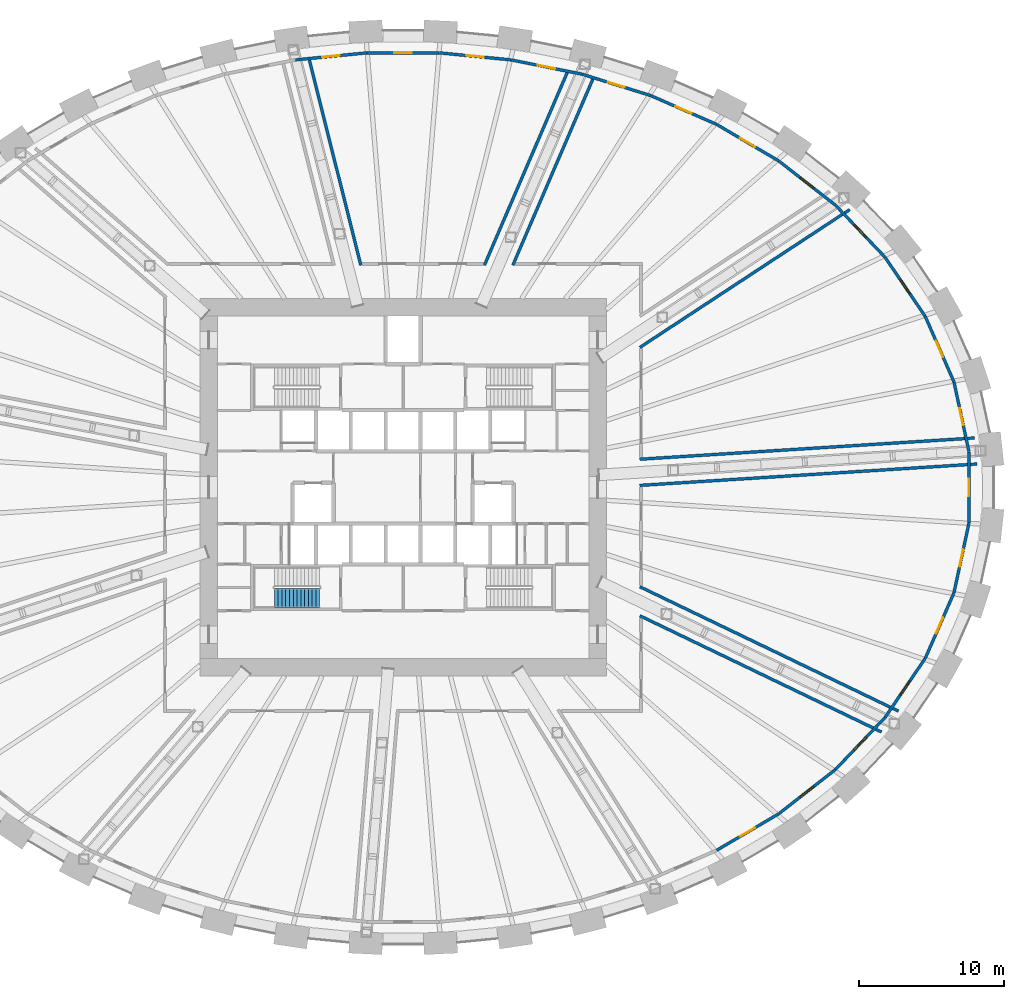
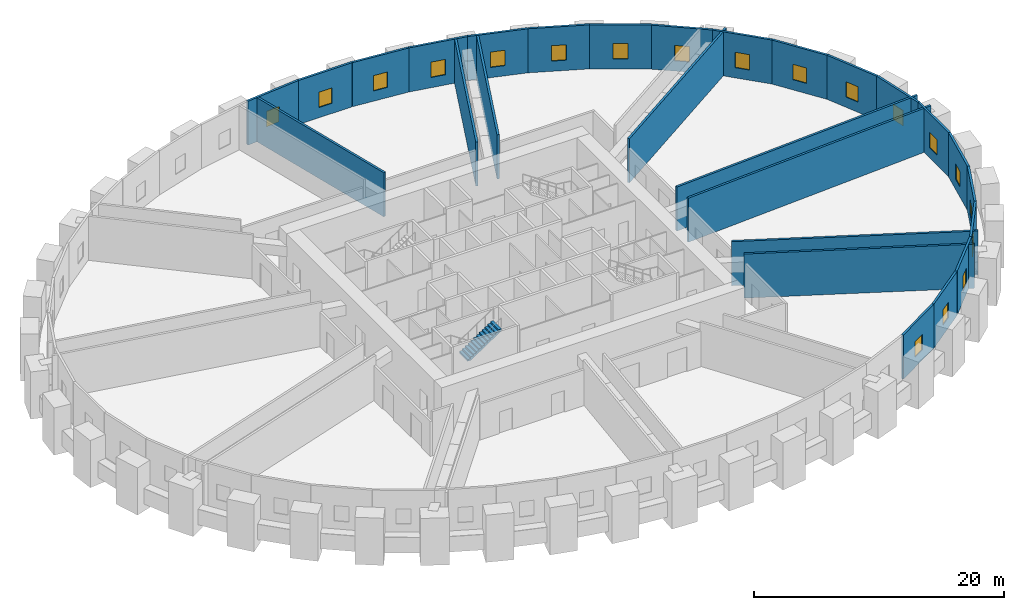
# One storey, part 12 of 14: 27 walls, 19 windows, 1 stair flight, 19 openings, 1 element without a shape of its own.
"""IFC4 building model written with IfcOpenShell, lengths in metres."""

from ifc_helpers import new_model, si_unit, direction, frame, frame_2d, origin, place, context, subcontext, project, spatial, polyline, rectangle, outline, extrude, source, transform, mapped, material, layer, layer_set, type_object, element, fill, aggregate, save


model = new_model("IFC4")

# Units and contexts
model_context = context("Model", 3, precision=1e-05, world=origin(), true_north=direction((0.0, 1.0)))
body_context = subcontext(model_context, "Body", "Model", "MODEL_VIEW")
ifc_project = project(units=[si_unit("LENGTHUNIT", "METRE"), si_unit("AREAUNIT", "SQUARE_METRE"), si_unit("VOLUMEUNIT", "CUBIC_METRE"), si_unit("PLANEANGLEUNIT", "RADIAN"), si_unit("MASSUNIT", "GRAM", prefix="KILO")], contexts=[model_context])

# Site, building, storey
site_placement = place(None, origin())
site = spatial("IfcSite", under=ifc_project, at=site_placement, CompositionType="ELEMENT")
building_placement = place(site_placement, origin())
building = spatial("IfcBuilding", under=site, at=building_placement, Name="Embergate Tower", CompositionType="ELEMENT")
storey_placement = place(building_placement, frame((0.0, 0.0, 101.0)))
storey = spatial("IfcBuildingStorey", under=building, at=storey_placement, Name="L21", CompositionType="ELEMENT", Elevation=101.0)

# Wall, opening, window
ifc_material_1 = material(Name="Terracotta louvre cladding on insulated backing", Category="masonry")
ifc_layer_1 = layer(ifc_material_1, 0.199951171875)
ifc_layer_set_1 = layer_set([ifc_layer_1], Name="Terracotta louvre cladding on insulated backing")
wall_type_1 = type_object("IfcWallType", Name="Terracotta louvre wall", PredefinedType="SOLIDWALL", material=ifc_layer_set_1)
shared_shape_1 = source(origin(), body_context, "Body", "SweptSolid", [
    extrude(rectangle(XDim=4.900634765625, YDim=0.199951171875, at=frame_2d((2.4501953125, 0.0))), origin(), (0.0, 0.0, 1.0), 4.300048828125),
])
wall_1_placement = place(storey_placement, frame((37.94921875, 7.259765625, 0.0), z_axis=(0.0, 0.0, 1.0), x_axis=(0.210331939753, -0.977630029776, 0.0)))
wall_1 = element("IfcWall", 1, at=wall_1_placement, inside=storey, type_object=wall_type_1, Name="Louvre wall 1", PredefinedType="SOLIDWALL", context=body_context, shape_type="MappedRepresentation", body=[
    mapped(shared_shape_1, transform((0.0, 0.0, 0.0))),
])
shared_shape_2 = source(origin(), body_context, "Body", "SweptSolid", [
    extrude(rectangle(XDim=1.199951171875, YDim=1.5, at=frame_2d((0.60009765625, 0.75))), frame((0.0, 0.10986328125, 0.0), z_axis=(0.0, -1.0, 0.0), x_axis=(1.0, 0.0, 0.0)), (0.0, 0.0, 1.0), 0.219970703125),
])
opening_1_placement = place(wall_1_placement, frame((1.850341796875, 0.0, 1.0)))
opening_1 = element("IfcOpeningElement", 2, at=opening_1_placement, cuts=wall_1, Name="Opening RW", PredefinedType="OPENING", context=body_context, shape_type="MappedRepresentation", body=[
    mapped(shared_shape_2, transform((0.0, 0.0, 0.0))),
])
ifc_material_2 = material(Name="Aluminium, thermally broken, triple glazed", Category="aluminium")
window_type = type_object("IfcWindowType", Name="Refuge operable window", PartitioningType="SINGLE_PANEL", PredefinedType="WINDOW", material=ifc_material_2)
shared_shape_3 = source(origin(), body_context, "Body", "SweptSolid", [
    extrude(rectangle(XDim=1.199951171875, YDim=1.5, at=frame_2d((0.60009765625, 0.75))), frame((0.0, 0.030029296875, 0.0), z_axis=(0.0, -1.0, 0.0), x_axis=(1.0, 0.0, 0.0)), (0.0, 0.0, 1.0), 0.06005859375),
])
window_1_placement = place(opening_1_placement, origin())
window_1 = element("IfcWindow", 3, at=window_1_placement, inside=storey, type_object=window_type, Name="Refuge window 1", OverallHeight=1.5, OverallWidth=1.199951171875, PartitioningType="SINGLE_PANEL", PredefinedType="WINDOW", context=body_context, shape_type="MappedRepresentation", body=[
    mapped(shared_shape_3, transform((0.0, 0.0, 0.0))),
])
fill(opening_1, window_1)

wall_2_placement = place(storey_placement, frame((38.97998046875, -2.46875, 0.0), z_axis=(0.0, 0.0, 1.0), x_axis=(-0.210331939753, -0.977630029776, 0.0)))
wall_2 = element("IfcWall", 4, at=wall_2_placement, inside=storey, type_object=wall_type_1, Name="Louvre wall 43", PredefinedType="SOLIDWALL", context=body_context, shape_type="MappedRepresentation", body=[
    mapped(shared_shape_1, transform((0.0, 0.0, 0.0))),
])
opening_2_placement = place(wall_2_placement, frame((1.850341796875, 0.0, 1.0)))
opening_2 = element("IfcOpeningElement", 5, at=opening_2_placement, cuts=wall_2, Name="Opening RW", PredefinedType="OPENING", context=body_context, shape_type="MappedRepresentation", body=[
    mapped(shared_shape_2, transform((0.0, 0.0, 0.0))),
])
window_2_placement = place(opening_2_placement, origin())
window_2 = element("IfcWindow", 6, at=window_2_placement, inside=storey, type_object=window_type, Name="Refuge window 43", OverallHeight=1.5, OverallWidth=1.199951171875, PartitioningType="SINGLE_PANEL", PredefinedType="WINDOW", context=body_context, shape_type="MappedRepresentation", body=[
    mapped(shared_shape_3, transform((0.0, 0.0, 0.0))),
])
fill(opening_2, window_2)

shared_shape_4 = source(origin(), body_context, "Body", "SweptSolid", [
    extrude(rectangle(XDim=4.90771484375, YDim=0.199951171875, at=frame_2d((2.453857421875, 0.0))), origin(), (0.0, 0.0, 1.0), 4.300048828125),
])
wall_3_placement = place(storey_placement, frame((35.9716796875, 11.773193359375, 0.0), z_axis=(0.0, 0.0, 1.0), x_axis=(0.401656371432, -0.915790455993, 0.0)))
wall_3 = element("IfcWall", 7, at=wall_3_placement, inside=storey, type_object=wall_type_1, Name="Louvre wall 2", PredefinedType="SOLIDWALL", context=body_context, shape_type="MappedRepresentation", body=[
    mapped(shared_shape_4, transform((0.0, 0.0, 0.0))),
])
opening_3_placement = place(wall_3_placement, frame((1.85400390625, 0.0, 1.0)))
opening_3 = element("IfcOpeningElement", 8, at=opening_3_placement, cuts=wall_3, Name="Opening RW", PredefinedType="OPENING", context=body_context, shape_type="MappedRepresentation", body=[
    mapped(shared_shape_2, transform((0.0, 0.0, 0.0))),
])
window_3_placement = place(opening_3_placement, origin())
window_3 = element("IfcWindow", 9, at=window_3_placement, inside=storey, type_object=window_type, Name="Refuge window 2", OverallHeight=1.5, OverallWidth=1.199951171875, PartitioningType="SINGLE_PANEL", PredefinedType="WINDOW", context=body_context, shape_type="MappedRepresentation", body=[
    mapped(shared_shape_3, transform((0.0, 0.0, 0.0))),
])
fill(opening_3, window_3)

wall_4_placement = place(storey_placement, frame((37.94287109375, -7.27880859375, 0.0), z_axis=(0.0, 0.0, 1.0), x_axis=(-0.401656371432, -0.915790455993, 0.0)))
wall_4 = element("IfcWall", 10, at=wall_4_placement, inside=storey, type_object=wall_type_1, Name="Louvre wall 42", PredefinedType="SOLIDWALL", context=body_context, shape_type="MappedRepresentation", body=[
    mapped(shared_shape_4, transform((0.0, 0.0, 0.0))),
])
opening_4_placement = place(wall_4_placement, frame((1.85400390625, 0.0, 1.0)))
opening_4 = element("IfcOpeningElement", 11, at=opening_4_placement, cuts=wall_4, Name="Opening RW", PredefinedType="OPENING", context=body_context, shape_type="MappedRepresentation", body=[
    mapped(shared_shape_2, transform((0.0, 0.0, 0.0))),
])
window_4_placement = place(opening_4_placement, origin())
window_4 = element("IfcWindow", 12, at=window_4_placement, inside=storey, type_object=window_type, Name="Refuge window 42", OverallHeight=1.5, OverallWidth=1.199951171875, PartitioningType="SINGLE_PANEL", PredefinedType="WINDOW", context=body_context, shape_type="MappedRepresentation", body=[
    mapped(shared_shape_3, transform((0.0, 0.0, 0.0))),
])
fill(opening_4, window_4)

shared_shape_5 = source(origin(), body_context, "Body", "SweptSolid", [
    extrude(rectangle(XDim=4.9169921875, YDim=0.199951171875, at=frame_2d((2.45849609375, 0.0))), origin(), (0.0, 0.0, 1.0), 4.300048828125),
])
wall_5_placement = place(storey_placement, frame((33.197021484375, 15.8564453125, 0.0), z_axis=(0.0, 0.0, 1.0), x_axis=(0.562376568436, -0.826881246174, 0.0)))
wall_5 = element("IfcWall", 13, at=wall_5_placement, inside=storey, type_object=wall_type_1, Name="Louvre wall 3", PredefinedType="SOLIDWALL", context=body_context, shape_type="MappedRepresentation", body=[
    mapped(shared_shape_5, transform((0.0, 0.0, 0.0))),
])
opening_5_placement = place(wall_5_placement, frame((1.8583984375, 0.0, 1.0)))
opening_5 = element("IfcOpeningElement", 14, at=opening_5_placement, cuts=wall_5, Name="Opening RW", PredefinedType="OPENING", context=body_context, shape_type="MappedRepresentation", body=[
    mapped(shared_shape_2, transform((0.0, 0.0, 0.0))),
])
window_5_placement = place(opening_5_placement, origin())
window_5 = element("IfcWindow", 15, at=window_5_placement, inside=storey, type_object=window_type, Name="Refuge window 3", OverallHeight=1.5, OverallWidth=1.199951171875, PartitioningType="SINGLE_PANEL", PredefinedType="WINDOW", context=body_context, shape_type="MappedRepresentation", body=[
    mapped(shared_shape_3, transform((0.0, 0.0, 0.0))),
])
fill(opening_5, window_5)

wall_6_placement = place(storey_placement, frame((35.962158203125, -11.790771484375, 0.0), z_axis=(0.0, 0.0, 1.0), x_axis=(-0.562376568436, -0.826881246174, 0.0)))
wall_6 = element("IfcWall", 16, at=wall_6_placement, inside=storey, type_object=wall_type_1, Name="Louvre wall 41", PredefinedType="SOLIDWALL", context=body_context, shape_type="MappedRepresentation", body=[
    mapped(shared_shape_5, transform((0.0, 0.0, 0.0))),
])
opening_6_placement = place(wall_6_placement, frame((1.8583984375, 0.0, 1.0)))
opening_6 = element("IfcOpeningElement", 17, at=opening_6_placement, cuts=wall_6, Name="Opening RW", PredefinedType="OPENING", context=body_context, shape_type="MappedRepresentation", body=[
    mapped(shared_shape_2, transform((0.0, 0.0, 0.0))),
])
window_6_placement = place(opening_6_placement, origin())
window_6 = element("IfcWindow", 18, at=window_6_placement, inside=storey, type_object=window_type, Name="Refuge window 41", OverallHeight=1.5, OverallWidth=1.199951171875, PartitioningType="SINGLE_PANEL", PredefinedType="WINDOW", context=body_context, shape_type="MappedRepresentation", body=[
    mapped(shared_shape_3, transform((0.0, 0.0, 0.0))),
])
fill(opening_6, window_6)

shared_shape_6 = source(origin(), body_context, "Body", "SweptSolid", [
    extrude(rectangle(XDim=4.92578125, YDim=0.199951171875, at=frame_2d((2.462890625, 0.0))), origin(), (0.0, 0.0, 1.0), 4.300048828125),
])
wall_7_placement = place(storey_placement, frame((29.78515625, 19.436767578125, 0.0), z_axis=(0.0, 0.0, 1.0), x_axis=(0.690130273299, -0.723685156595, 0.0)))
wall_7 = element("IfcWall", 19, at=wall_7_placement, inside=storey, type_object=wall_type_1, Name="Louvre wall 4", PredefinedType="SOLIDWALL", context=body_context, shape_type="MappedRepresentation", body=[
    mapped(shared_shape_6, transform((0.0, 0.0, 0.0))),
])
opening_7_placement = place(wall_7_placement, frame((1.86279296875, 0.0, 1.0)))
opening_7 = element("IfcOpeningElement", 20, at=opening_7_placement, cuts=wall_7, Name="Opening RW", PredefinedType="OPENING", context=body_context, shape_type="MappedRepresentation", body=[
    mapped(shared_shape_2, transform((0.0, 0.0, 0.0))),
])
window_7_placement = place(opening_7_placement, origin())
window_7 = element("IfcWindow", 21, at=window_7_placement, inside=storey, type_object=window_type, Name="Refuge window 4", OverallHeight=1.5, OverallWidth=1.199951171875, PartitioningType="SINGLE_PANEL", PredefinedType="WINDOW", context=body_context, shape_type="MappedRepresentation", body=[
    mapped(shared_shape_3, transform((0.0, 0.0, 0.0))),
])
fill(opening_7, window_7)

wall_8_placement = place(storey_placement, frame((33.1845703125, -15.8720703125, 0.0), z_axis=(0.0, 0.0, 1.0), x_axis=(-0.690130273299, -0.723685156595, 0.0)))
wall_8 = element("IfcWall", 22, at=wall_8_placement, inside=storey, type_object=wall_type_1, Name="Louvre wall 40", PredefinedType="SOLIDWALL", context=body_context, shape_type="MappedRepresentation", body=[
    mapped(shared_shape_6, transform((0.0, 0.0, 0.0))),
])
opening_8_placement = place(wall_8_placement, frame((1.86279296875, 0.0, 1.0)))
opening_8 = element("IfcOpeningElement", 23, at=opening_8_placement, cuts=wall_8, Name="Opening RW", PredefinedType="OPENING", context=body_context, shape_type="MappedRepresentation", body=[
    mapped(shared_shape_2, transform((0.0, 0.0, 0.0))),
])
window_8_placement = place(opening_8_placement, origin())
window_8 = element("IfcWindow", 24, at=window_8_placement, inside=storey, type_object=window_type, Name="Refuge window 40", OverallHeight=1.5, OverallWidth=1.199951171875, PartitioningType="SINGLE_PANEL", PredefinedType="WINDOW", context=body_context, shape_type="MappedRepresentation", body=[
    mapped(shared_shape_3, transform((0.0, 0.0, 0.0))),
])
fill(opening_8, window_8)

shared_shape_7 = source(origin(), body_context, "Body", "SweptSolid", [
    extrude(rectangle(XDim=4.93359375, YDim=0.199951171875, at=frame_2d((2.466796875, 0.0))), origin(), (0.0, 0.0, 1.0), 4.300048828125),
])
wall_9_placement = place(storey_placement, frame((25.881103515625, 22.485595703125, 0.0), z_axis=(0.0, 0.0, 1.0), x_axis=(0.788338613529, -0.61524160329, 0.0)))
wall_9 = element("IfcWall", 25, at=wall_9_placement, inside=storey, type_object=wall_type_1, Name="Louvre wall 5", PredefinedType="SOLIDWALL", context=body_context, shape_type="MappedRepresentation", body=[
    mapped(shared_shape_7, transform((0.0, 0.0, 0.0))),
])
opening_9_placement = place(wall_9_placement, frame((1.86669921875, 0.0, 1.0)))
opening_9 = element("IfcOpeningElement", 26, at=opening_9_placement, cuts=wall_9, Name="Opening RW", PredefinedType="OPENING", context=body_context, shape_type="MappedRepresentation", body=[
    mapped(shared_shape_2, transform((0.0, 0.0, 0.0))),
])
window_9_placement = place(opening_9_placement, origin())
window_9 = element("IfcWindow", 27, at=window_9_placement, inside=storey, type_object=window_type, Name="Refuge window 5", OverallHeight=1.5, OverallWidth=1.199951171875, PartitioningType="SINGLE_PANEL", PredefinedType="WINDOW", context=body_context, shape_type="MappedRepresentation", body=[
    mapped(shared_shape_3, transform((0.0, 0.0, 0.0))),
])
fill(opening_9, window_9)

wall_10_placement = place(storey_placement, frame((29.7705078125, -19.4501953125, 0.0), z_axis=(0.0, 0.0, 1.0), x_axis=(-0.788338613529, -0.61524160329, 0.0)))
wall_10 = element("IfcWall", 28, at=wall_10_placement, inside=storey, type_object=wall_type_1, Name="Louvre wall 39", PredefinedType="SOLIDWALL", context=body_context, shape_type="MappedRepresentation", body=[
    mapped(shared_shape_7, transform((0.0, 0.0, 0.0))),
])
opening_10_placement = place(wall_10_placement, frame((1.86669921875, 0.0, 1.0)))
opening_10 = element("IfcOpeningElement", 29, at=opening_10_placement, cuts=wall_10, Name="Opening RW", PredefinedType="OPENING", context=body_context, shape_type="MappedRepresentation", body=[
    mapped(shared_shape_2, transform((0.0, 0.0, 0.0))),
])
window_10_placement = place(opening_10_placement, origin())
window_10 = element("IfcWindow", 30, at=window_10_placement, inside=storey, type_object=window_type, Name="Refuge window 39", OverallHeight=1.5, OverallWidth=1.199951171875, PartitioningType="SINGLE_PANEL", PredefinedType="WINDOW", context=body_context, shape_type="MappedRepresentation", body=[
    mapped(shared_shape_3, transform((0.0, 0.0, 0.0))),
])
fill(opening_10, window_10)

shared_shape_8 = source(origin(), body_context, "Body", "SweptSolid", [
    extrude(rectangle(XDim=4.939697265625, YDim=0.199951171875, at=frame_2d((2.4697265625, 0.0))), origin(), (0.0, 0.0, 1.0), 4.300048828125),
])
wall_11_placement = place(storey_placement, frame((21.6064453125, 25.00048828125, 0.0), z_axis=(0.0, 0.0, 1.0), x_axis=(0.862042190087, -0.506836524443, 0.0)))
wall_11 = element("IfcWall", 31, at=wall_11_placement, inside=storey, type_object=wall_type_1, Name="Louvre wall 6", PredefinedType="SOLIDWALL", context=body_context, shape_type="MappedRepresentation", body=[
    mapped(shared_shape_8, transform((0.0, 0.0, 0.0))),
])
opening_11_placement = place(wall_11_placement, frame((1.869873046875, 0.0, 1.0)))
opening_11 = element("IfcOpeningElement", 32, at=opening_11_placement, cuts=wall_11, Name="Opening RW", PredefinedType="OPENING", context=body_context, shape_type="MappedRepresentation", body=[
    mapped(shared_shape_2, transform((0.0, 0.0, 0.0))),
])
window_11_placement = place(opening_11_placement, origin())
window_11 = element("IfcWindow", 33, at=window_11_placement, inside=storey, type_object=window_type, Name="Refuge window 6", OverallHeight=1.5, OverallWidth=1.199951171875, PartitioningType="SINGLE_PANEL", PredefinedType="WINDOW", context=body_context, shape_type="MappedRepresentation", body=[
    mapped(shared_shape_3, transform((0.0, 0.0, 0.0))),
])
fill(opening_11, window_11)

wall_12_placement = place(storey_placement, frame((25.86474609375, -22.496826171875, 0.0), z_axis=(0.0, 0.0, 1.0), x_axis=(-0.862042190087, -0.506836524443, 0.0)))
wall_12 = element("IfcWall", 34, at=wall_12_placement, inside=storey, type_object=wall_type_1, Name="Louvre wall 38", PredefinedType="SOLIDWALL", context=body_context, shape_type="MappedRepresentation", body=[
    mapped(shared_shape_8, transform((0.0, 0.0, 0.0))),
])
opening_12_placement = place(wall_12_placement, frame((1.869873046875, 0.0, 1.0)))
opening_12 = element("IfcOpeningElement", 35, at=opening_12_placement, cuts=wall_12, Name="Opening RW", PredefinedType="OPENING", context=body_context, shape_type="MappedRepresentation", body=[
    mapped(shared_shape_2, transform((0.0, 0.0, 0.0))),
])
window_12_placement = place(opening_12_placement, origin())
window_12 = element("IfcWindow", 36, at=window_12_placement, inside=storey, type_object=window_type, Name="Refuge window 38", OverallHeight=1.5, OverallWidth=1.199951171875, PartitioningType="SINGLE_PANEL", PredefinedType="WINDOW", context=body_context, shape_type="MappedRepresentation", body=[
    mapped(shared_shape_3, transform((0.0, 0.0, 0.0))),
])
fill(opening_12, window_12)

shared_shape_9 = source(origin(), body_context, "Body", "SweptSolid", [
    extrude(rectangle(XDim=4.9443359375, YDim=0.199951171875, at=frame_2d((2.47216796875, 0.0))), origin(), (0.0, 0.0, 1.0), 4.300048828125),
])
wall_13_placement = place(storey_placement, frame((17.05859375, 26.990478515625, 0.0), z_axis=(0.0, 0.0, 1.0), x_axis=(0.916226451808, -0.400660815412, 0.0)))
wall_13 = element("IfcWall", 37, at=wall_13_placement, inside=storey, type_object=wall_type_1, Name="Louvre wall 7", PredefinedType="SOLIDWALL", context=body_context, shape_type="MappedRepresentation", body=[
    mapped(shared_shape_9, transform((0.0, 0.0, 0.0))),
])
opening_13_placement = place(wall_13_placement, frame((1.872314453125, 0.0, 1.0)))
opening_13 = element("IfcOpeningElement", 38, at=opening_13_placement, cuts=wall_13, Name="Opening RW", PredefinedType="OPENING", context=body_context, shape_type="MappedRepresentation", body=[
    mapped(shared_shape_2, transform((0.0, 0.0, 0.0))),
])
window_13_placement = place(opening_13_placement, origin())
window_13 = element("IfcWindow", 39, at=window_13_placement, inside=storey, type_object=window_type, Name="Refuge window 7", OverallHeight=1.5, OverallWidth=1.199951171875, PartitioningType="SINGLE_PANEL", PredefinedType="WINDOW", context=body_context, shape_type="MappedRepresentation", body=[
    mapped(shared_shape_3, transform((0.0, 0.0, 0.0))),
])
fill(opening_13, window_13)

shared_shape_10 = source(origin(), body_context, "Body", "SweptSolid", [
    extrude(rectangle(XDim=4.94775390625, YDim=0.199951171875, at=frame_2d((2.473876953125, 0.0))), origin(), (0.0, 0.0, 1.0), 4.300048828125),
])
wall_14_placement = place(storey_placement, frame((12.31591796875, 28.46875, 0.0), z_axis=(0.0, 0.0, 1.0), x_axis=(0.954768398197, -0.297350476383, 0.0)))
wall_14 = element("IfcWall", 40, at=wall_14_placement, inside=storey, type_object=wall_type_1, Name="Louvre wall 8", PredefinedType="SOLIDWALL", context=body_context, shape_type="MappedRepresentation", body=[
    mapped(shared_shape_10, transform((0.0, 0.0, 0.0))),
])
opening_14_placement = place(wall_14_placement, frame((1.873779296875, 0.0, 1.0)))
opening_14 = element("IfcOpeningElement", 41, at=opening_14_placement, cuts=wall_14, Name="Opening RW", PredefinedType="OPENING", context=body_context, shape_type="MappedRepresentation", body=[
    mapped(shared_shape_2, transform((0.0, 0.0, 0.0))),
])
window_14_placement = place(opening_14_placement, origin())
window_14 = element("IfcWindow", 42, at=window_14_placement, inside=storey, type_object=window_type, Name="Refuge window 8", OverallHeight=1.5, OverallWidth=1.199951171875, PartitioningType="SINGLE_PANEL", PredefinedType="WINDOW", context=body_context, shape_type="MappedRepresentation", body=[
    mapped(shared_shape_3, transform((0.0, 0.0, 0.0))),
])
fill(opening_14, window_14)

shared_shape_11 = source(origin(), body_context, "Body", "SweptSolid", [
    extrude(rectangle(XDim=4.949951171875, YDim=0.199951171875, at=frame_2d((2.47509765625, 0.0))), origin(), (0.0, 0.0, 1.0), 4.300048828125),
])
wall_15_placement = place(storey_placement, frame((7.443115234375, 29.447021484375, 0.0), z_axis=(0.0, 0.0, 1.0), x_axis=(0.980474299586, -0.196647267591, 0.0)))
wall_15 = element("IfcWall", 43, at=wall_15_placement, inside=storey, type_object=wall_type_1, Name="Louvre wall 9", PredefinedType="SOLIDWALL", context=body_context, shape_type="MappedRepresentation", body=[
    mapped(shared_shape_11, transform((0.0, 0.0, 0.0))),
])
opening_15_placement = place(wall_15_placement, frame((1.875, 0.0, 1.0)))
opening_15 = element("IfcOpeningElement", 44, at=opening_15_placement, cuts=wall_15, Name="Opening RW", PredefinedType="OPENING", context=body_context, shape_type="MappedRepresentation", body=[
    mapped(shared_shape_2, transform((0.0, 0.0, 0.0))),
])
window_15_placement = place(opening_15_placement, origin())
window_15 = element("IfcWindow", 45, at=window_15_placement, inside=storey, type_object=window_type, Name="Refuge window 9", OverallHeight=1.5, OverallWidth=1.199951171875, PartitioningType="SINGLE_PANEL", PredefinedType="WINDOW", context=body_context, shape_type="MappedRepresentation", body=[
    mapped(shared_shape_3, transform((0.0, 0.0, 0.0))),
])
fill(opening_15, window_15)

shared_shape_12 = source(origin(), body_context, "Body", "SweptSolid", [
    extrude(rectangle(XDim=4.951171875, YDim=0.199951171875, at=frame_2d((2.4755859375, 0.0))), origin(), (0.0, 0.0, 1.0), 4.300048828125),
])
wall_16_placement = place(storey_placement, frame((2.495849609375, 29.934326171875, 0.0), z_axis=(0.0, 0.0, 1.0), x_axis=(0.995203236417, -0.09782902547, 0.0)))
wall_16 = element("IfcWall", 46, at=wall_16_placement, inside=storey, type_object=wall_type_1, Name="Louvre wall 10", PredefinedType="SOLIDWALL", context=body_context, shape_type="MappedRepresentation", body=[
    mapped(shared_shape_12, transform((0.0, 0.0, 0.0))),
])
opening_16_placement = place(wall_16_placement, frame((1.875732421875, 0.0, 1.0)))
opening_16 = element("IfcOpeningElement", 47, at=opening_16_placement, cuts=wall_16, Name="Opening RW", PredefinedType="OPENING", context=body_context, shape_type="MappedRepresentation", body=[
    mapped(shared_shape_2, transform((0.0, 0.0, 0.0))),
])
window_16_placement = place(opening_16_placement, origin())
window_16 = element("IfcWindow", 48, at=window_16_placement, inside=storey, type_object=window_type, Name="Refuge window 10", OverallHeight=1.5, OverallWidth=1.199951171875, PartitioningType="SINGLE_PANEL", PredefinedType="WINDOW", context=body_context, shape_type="MappedRepresentation", body=[
    mapped(shared_shape_3, transform((0.0, 0.0, 0.0))),
])
fill(opening_16, window_16)

wall_17_placement = place(storey_placement, frame((-7.42333984375, 29.449951171875, 0.0), z_axis=(0.0, 0.0, 1.0), x_axis=(0.995203236417, 0.09782902547, 0.0)))
wall_17 = element("IfcWall", 49, at=wall_17_placement, inside=storey, type_object=wall_type_1, Name="Louvre wall 12", PredefinedType="SOLIDWALL", context=body_context, shape_type="MappedRepresentation", body=[
    mapped(shared_shape_12, transform((0.0, 0.0, 0.0))),
])
opening_17_placement = place(wall_17_placement, frame((1.875732421875, 0.0, 1.0)))
opening_17 = element("IfcOpeningElement", 50, at=opening_17_placement, cuts=wall_17, Name="Opening RW", PredefinedType="OPENING", context=body_context, shape_type="MappedRepresentation", body=[
    mapped(shared_shape_2, transform((0.0, 0.0, 0.0))),
])
window_17_placement = place(opening_17_placement, origin())
window_17 = element("IfcWindow", 51, at=window_17_placement, inside=storey, type_object=window_type, Name="Refuge window 12", OverallHeight=1.5, OverallWidth=1.199951171875, PartitioningType="SINGLE_PANEL", PredefinedType="WINDOW", context=body_context, shape_type="MappedRepresentation", body=[
    mapped(shared_shape_3, transform((0.0, 0.0, 0.0))),
])
fill(opening_17, window_17)

shared_shape_13 = source(origin(), body_context, "Body", "SweptSolid", [
    extrude(rectangle(XDim=4.95166015625, YDim=0.199951171875, at=frame_2d((2.475830078125, 0.0))), origin(), (0.0, 0.0, 1.0), 4.300048828125),
])
wall_18_placement = place(storey_placement, frame((-2.475830078125, 29.935302734375, 0.0), z_axis=(0.0, 0.0, 1.0), x_axis=(1.0, 0.0, 0.0)))
wall_18 = element("IfcWall", 52, at=wall_18_placement, inside=storey, type_object=wall_type_1, Name="Louvre wall 11", PredefinedType="SOLIDWALL", context=body_context, shape_type="MappedRepresentation", body=[
    mapped(shared_shape_13, transform((0.0, 0.0, 0.0))),
])
opening_18_placement = place(wall_18_placement, frame((1.8759765625, 0.0, 1.0)))
opening_18 = element("IfcOpeningElement", 53, at=opening_18_placement, cuts=wall_18, Name="Opening RW", PredefinedType="OPENING", context=body_context, shape_type="MappedRepresentation", body=[
    mapped(shared_shape_2, transform((0.0, 0.0, 0.0))),
])
window_18_placement = place(opening_18_placement, origin())
window_18 = element("IfcWindow", 54, at=window_18_placement, inside=storey, type_object=window_type, Name="Refuge window 11", OverallHeight=1.5, OverallWidth=1.199951171875, PartitioningType="SINGLE_PANEL", PredefinedType="WINDOW", context=body_context, shape_type="MappedRepresentation", body=[
    mapped(shared_shape_3, transform((0.0, 0.0, 0.0))),
])
fill(opening_18, window_18)

shared_shape_14 = source(origin(), body_context, "Body", "SweptSolid", [
    extrude(rectangle(XDim=4.89794921875, YDim=0.199951171875, at=frame_2d((2.448974609375, 0.0))), origin(), (0.0, 0.0, 1.0), 4.300048828125),
])
wall_19_placement = place(storey_placement, frame((38.982177734375, 2.448974609375, 0.0), z_axis=(0.0, 0.0, 1.0), x_axis=(0.0, -1.0, 0.0)))
wall_19 = element("IfcWall", 55, at=wall_19_placement, inside=storey, type_object=wall_type_1, Name="Louvre wall 44", PredefinedType="SOLIDWALL", context=body_context, shape_type="MappedRepresentation", body=[
    mapped(shared_shape_14, transform((0.0, 0.0, 0.0))),
])
opening_19_placement = place(wall_19_placement, frame((1.84912109375, 0.0, 1.0)))
opening_19 = element("IfcOpeningElement", 56, at=opening_19_placement, cuts=wall_19, Name="Opening RW", PredefinedType="OPENING", context=body_context, shape_type="MappedRepresentation", body=[
    mapped(shared_shape_2, transform((0.0, 0.0, 0.0))),
])
window_19_placement = place(opening_19_placement, origin())
window_19 = element("IfcWindow", 57, at=window_19_placement, inside=storey, type_object=window_type, Name="Refuge window 44", OverallHeight=1.5, OverallWidth=1.199951171875, PartitioningType="SINGLE_PANEL", PredefinedType="WINDOW", context=body_context, shape_type="MappedRepresentation", body=[
    mapped(shared_shape_3, transform((0.0, 0.0, 0.0))),
])
fill(opening_19, window_19)

# Walls
ifc_material_3 = material(Name="Blockwork, plastered", Category="masonry")
ifc_layer_2 = layer(ifc_material_3, 0.199951171875)
ifc_layer_set_2 = layer_set([ifc_layer_2], Name="Blockwork, plastered")
wall_type_2 = type_object("IfcWallType", Name="Fire partition wall 200 block", PredefinedType="PARTITIONING", material=ifc_layer_set_2)
shared_shape_15 = source(origin(), body_context, "Body", "SweptSolid", [
    extrude(rectangle(XDim=14.57666015625, YDim=0.199951171875, at=frame_2d((7.288330078125, 0.0))), origin(), (0.0, 0.0, 1.0), 4.300048828125),
])
wall_20_placement = place(storey_placement, frame((-2.9140625, 15.302978515625, 0.0), z_axis=(0.0, 0.0, 1.0), x_axis=(-0.243461628721, 0.969910529554, 0.0)))
element("IfcWall", 58, at=wall_20_placement, inside=storey, type_object=wall_type_2, Name="Partition 015", PredefinedType="PARTITIONING", context=body_context, shape_type="MappedRepresentation", body=[
    mapped(shared_shape_15, transform((0.0, 0.0, 0.0))),
])
shared_shape_16 = source(origin(), body_context, "Body", "SweptSolid", [
    extrude(rectangle(XDim=13.95703125, YDim=0.199951171875, at=frame_2d((6.978515625, 0.0))), origin(), (0.0, 0.0, 1.0), 4.300048828125),
])
wall_21_placement = place(storey_placement, frame((7.56005859375, 15.30810546875, 0.0), z_axis=(0.0, 0.0, 1.0), x_axis=(0.394852215833, 0.918744647686, 0.0)))
element("IfcWall", 59, at=wall_21_placement, inside=storey, type_object=wall_type_2, Name="Partition 020", PredefinedType="PARTITIONING", context=body_context, shape_type="MappedRepresentation", body=[
    mapped(shared_shape_16, transform((0.0, 0.0, 0.0))),
])
shared_shape_17 = source(origin(), body_context, "Body", "SweptSolid", [
    extrude(rectangle(XDim=14.4345703125, YDim=0.199951171875, at=frame_2d((7.21728515625, 0.0))), origin(), (0.0, 0.0, 1.0), 4.300048828125),
])
wall_22_placement = place(storey_placement, frame((11.300048828125, 28.570068359375, 0.0), z_axis=(0.0, 0.0, 1.0), x_axis=(-0.394813197913, -0.918761415577, 0.0)))
element("IfcWall", 60, at=wall_22_placement, inside=storey, type_object=wall_type_2, Name="Partition 024", PredefinedType="PARTITIONING", context=body_context, shape_type="MappedRepresentation", body=[
    mapped(shared_shape_17, transform((0.0, 0.0, 0.0))),
])
shared_shape_18 = source(origin(), body_context, "Body", "SweptSolid", [
    extrude(rectangle(XDim=18.472900390625, YDim=0.199951171875, at=frame_2d((9.236328125, 0.0))), origin(), (0.0, 0.0, 1.0), 4.300048828125),
])
wall_23_placement = place(storey_placement, frame((16.31005859375, -8.844970703125, 0.0), z_axis=(0.0, 0.0, 1.0), x_axis=(0.901152952518, -0.433501275856, 0.0)))
element("IfcWall", 61, at=wall_23_placement, inside=storey, type_object=wall_type_2, Name="Partition 027", PredefinedType="PARTITIONING", context=body_context, shape_type="MappedRepresentation", body=[
    mapped(shared_shape_18, transform((0.0, 0.0, 0.0))),
])
shared_shape_19 = source(origin(), body_context, "Body", "SweptSolid", [
    extrude(rectangle(XDim=23.292724609375, YDim=0.199951171875, at=frame_2d((11.646484375, 0.0))), origin(), (0.0, 0.0, 1.0), 4.300048828125),
])
wall_24_placement = place(storey_placement, frame((16.300048828125, 0.134033203125, 0.0), z_axis=(0.0, 0.0, 1.0), x_axis=(0.997990052815, 0.063370769935, 0.0)))
element("IfcWall", 62, at=wall_24_placement, inside=storey, type_object=wall_type_2, Name="Partition 029", PredefinedType="PARTITIONING", context=body_context, shape_type="MappedRepresentation", body=[
    mapped(shared_shape_19, transform((0.0, 0.0, 0.0))),
])
shared_shape_20 = source(origin(), body_context, "Body", "SweptSolid", [
    extrude(rectangle(XDim=17.2900390625, YDim=0.199951171875, at=frame_2d((8.64501953125, 0.0))), origin(), (0.0, 0.0, 1.0), 4.300048828125),
])
wall_25_placement = place(storey_placement, frame((16.31591796875, 9.64404296875, 0.0), z_axis=(0.0, 0.0, 1.0), x_axis=(0.835757135347, 0.549099272187, 0.0)))
element("IfcWall", 63, at=wall_25_placement, inside=storey, type_object=wall_type_2, Name="Partition 031", PredefinedType="PARTITIONING", context=body_context, shape_type="MappedRepresentation", body=[
    mapped(shared_shape_20, transform((0.0, 0.0, 0.0))),
])
shared_shape_21 = source(origin(), body_context, "Body", "SweptSolid", [
    extrude(rectangle(XDim=19.772216796875, YDim=0.199951171875, at=frame_2d((9.88623046875, 0.0))), origin(), (0.0, 0.0, 1.0), 4.300048828125),
])
wall_26_placement = place(storey_placement, frame((34.1279296875, -15.4189453125, 0.0), z_axis=(0.0, 0.0, 1.0), x_axis=(-0.901158376965, 0.433489999453, 0.0)))
element("IfcWall", 64, at=wall_26_placement, inside=storey, type_object=wall_type_2, Name="Partition 035", PredefinedType="PARTITIONING", context=body_context, shape_type="MappedRepresentation", body=[
    mapped(shared_shape_21, transform((0.0, 0.0, 0.0))),
])
shared_shape_22 = source(origin(), body_context, "Body", "SweptSolid", [
    extrude(rectangle(XDim=23.100341796875, YDim=0.199951171875, at=frame_2d((11.55029296875, 0.0))), origin(), (0.0, 0.0, 1.0), 4.300048828125),
])
wall_27_placement = place(storey_placement, frame((39.35400390625, 3.40087890625, 0.0), z_axis=(0.0, 0.0, 1.0), x_axis=(-0.997990113144, -0.063369819848, 0.0)))
element("IfcWall", 65, at=wall_27_placement, inside=storey, type_object=wall_type_2, Name="Partition 036", PredefinedType="PARTITIONING", context=body_context, shape_type="MappedRepresentation", body=[
    mapped(shared_shape_22, transform((0.0, 0.0, 0.0))),
])

# Stair, stair flight
ifc_material_4 = material(Name="Exit stair")
stair_type = type_object("IfcStairType", Name="Exit stair", PredefinedType="HALF_TURN_STAIR", material=ifc_material_4)
stair_placement = place(storey_placement, origin())
stair = element("IfcStair", 66, at=stair_placement, inside=storey, type_object=stair_type, Name="L21 Exit stair 3", PredefinedType="HALF_TURN_STAIR")
ifc_material_5 = material(Name="Concrete C40", Category="concrete")
stair_flight_type = type_object("IfcStairFlightType", Name="Stair flight reinforced concrete", PredefinedType="STRAIGHT", material=ifc_material_5)
shared_shape_23 = source(origin(), body_context, "Body", "SweptSolid", [
    extrude(outline(polyline([(0.0, 0.0), (0.0, 0.173095703125), (0.260009765625, 0.173095703125), (0.260009765625, 0.34619140625), (0.52001953125, 0.34619140625), (0.52001953125, 0.519287109375), (0.780029296875, 0.519287109375), (0.780029296875, 0.6923828125), (1.0400390625, 0.6923828125), (1.0400390625, 0.865478515625), (1.300048828125, 0.865478515625), (1.300048828125, 1.03857421875), (1.56005859375, 1.03857421875), (1.56005859375, 1.21142578125), (1.820068359375, 1.21142578125), (1.820068359375, 1.384521484375), (2.080078125, 1.384521484375), (2.080078125, 1.5576171875), (2.340087890625, 1.5576171875), (2.340087890625, 1.730712890625), (2.60009765625, 1.730712890625), (2.60009765625, 1.90380859375), (2.860107421875, 1.90380859375), (2.860107421875, 2.076904296875), (3.1201171875, 2.076904296875), (3.1201171875, 2.25), (3.1201171875, 1.896728515625), (0.2705078125, 0.0), (0.0, 0.0)])), frame((0.0, 0.675048828125, 0.0), z_axis=(0.0, -1.0, 0.0), x_axis=(1.0, 0.0, 0.0)), (0.0, 0.0, 1.0), 1.35009765625),
])
stair_flight_placement = place(storey_placement, frame((-8.8701171875, -7.625, 2.25), z_axis=(0.0, 0.0, 1.0), x_axis=(1.0, 0.0, 0.0)))
stair_flight = element("IfcStairFlight", 67, at=stair_flight_placement, type_object=stair_flight_type, Name="ST3 flight 2", NumberOfRisers=13, NumberOfTreads=12, PredefinedType="STRAIGHT", RiserHeight=0.173076923, TreadLength=0.26, context=body_context, shape_type="MappedRepresentation", body=[
    mapped(shared_shape_23, transform((0.0, 0.0, 0.0))),
])
aggregate(stair, [stair_flight])

save(model, "model.ifc")
